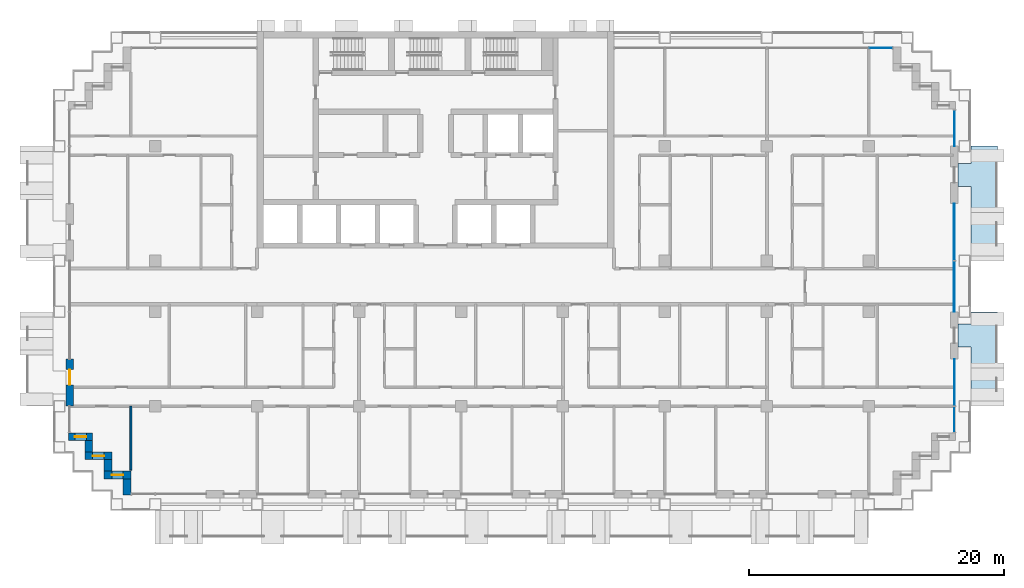
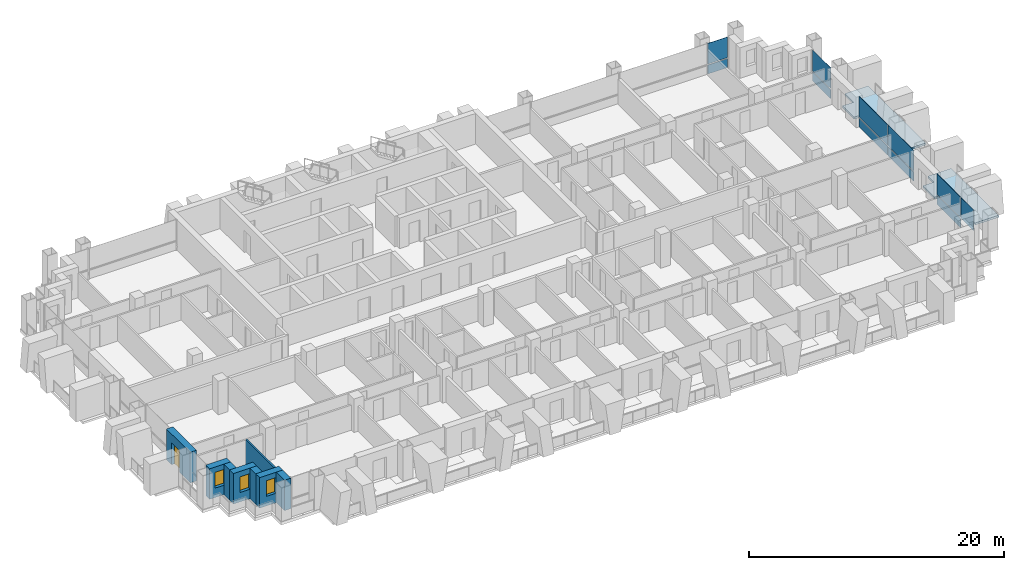
# One storey, part 7 of 17: 11 plates, 8 walls, 3 windows, 2 slabs, 1 door, 4 openings, 4 elements without a shape of their own.
"""IFC4 building model written with IfcOpenShell, lengths in metres."""

from ifc_helpers import new_model, si_unit, direction, frame, frame_2d, origin, origin_2d, place, context, subcontext, project, spatial, polyline, rectangle, outline, extrude, material, layer, layer_set, type_object, element, fill, aggregate, save


model = new_model("IFC4")

# Units and contexts
model_context = context("Model", 3, precision=1e-05, world=origin(), true_north=direction((0.0, 1.0)))
body_context = subcontext(model_context, "Body", "Model", "MODEL_VIEW")
ifc_project = project(units=[si_unit("LENGTHUNIT", "METRE"), si_unit("AREAUNIT", "SQUARE_METRE"), si_unit("VOLUMEUNIT", "CUBIC_METRE"), si_unit("PLANEANGLEUNIT", "RADIAN"), si_unit("MASSUNIT", "GRAM", prefix="KILO")], contexts=[model_context])

# Site, building, storey
site_placement = place(None, origin())
site = spatial("IfcSite", under=ifc_project, at=site_placement, CompositionType="ELEMENT")
building_placement = place(site_placement, origin())
building = spatial("IfcBuilding", under=site, at=building_placement, Name="Vidyagriha Tower", CompositionType="ELEMENT")
storey_placement = place(building_placement, frame((0.0, 0.0, 77.5)))
storey = spatial("IfcBuildingStorey", under=building, at=storey_placement, Name="L19", CompositionType="ELEMENT", Elevation=77.5)

# Curtain wall, plate
ifc_material_1 = material(Name="Aluminium and glass curtain wall", Category="aluminium")
curtain_wall_type = type_object("IfcCurtainWallType", Name="Dwelling skin unitised curtain wall", PredefinedType="USERDEFINED", material=ifc_material_1)
curtain_wall_1_placement = place(storey_placement, origin())
curtain_wall_1 = element("IfcCurtainWall", 1, at=curtain_wall_1_placement, inside=storey, type_object=curtain_wall_type, Name="CW1 dwelling skin", ObjectType="UNITISED", PredefinedType="USERDEFINED")
ifc_material_2 = material(Name="Glass dark ceramic-fritted spandrel", Category="glass")
ifc_layer_1 = layer(ifc_material_2, 0.0400390625)
ifc_layer_set_1 = layer_set([ifc_layer_1], Name="Glass dark ceramic-fritted spandrel")
plate_type_1 = type_object("IfcPlateType", Name="Ceramic-fritted spandrel panel", PredefinedType="CURTAIN_PANEL", material=ifc_layer_set_1)
plate_1_placement = place(storey_placement, frame((34.9326171875, 18.699951171875, 0.0), z_axis=(0.0, 0.0, 1.0), x_axis=(-1.0, 0.0, 0.0)))
plate_1 = element("IfcPlate", 2, at=plate_1_placement, type_object=plate_type_1, Name="CW1 panel 1.1", PredefinedType="CURTAIN_PANEL", context=body_context, shape_type="SweptSolid", body=[
    extrude(rectangle(XDim=1.794921875, YDim=0.0400390625, at=origin_2d()), origin(), (0.0, 0.0, 1.0), 0.85009765625),
])

curtain_wall_2_placement = place(storey_placement, origin())
curtain_wall_2 = element("IfcCurtainWall", 3, at=curtain_wall_2_placement, inside=storey, type_object=curtain_wall_type, Name="CW1 dwelling skin", ObjectType="UNITISED", PredefinedType="USERDEFINED")
plate_2_placement = place(storey_placement, frame((40.699951171875, -7.532470703125, 0.0), z_axis=(0.0, 0.0, 1.0), x_axis=(0.0, 1.0, 0.0)))
plate_2 = element("IfcPlate", 4, at=plate_2_placement, type_object=plate_type_1, Name="CW1 panel 2.1", PredefinedType="CURTAIN_PANEL", context=body_context, shape_type="SweptSolid", body=[
    extrude(rectangle(XDim=3.6650390625, YDim=0.0400390625, at=origin_2d()), origin(), (0.0, 0.0, 1.0), 0.85009765625),
])

curtain_wall_3_placement = place(storey_placement, origin())
curtain_wall_3 = element("IfcCurtainWall", 5, at=curtain_wall_3_placement, inside=storey, type_object=curtain_wall_type, Name="CW1 dwelling skin", ObjectType="UNITISED", PredefinedType="USERDEFINED")
plate_3_placement = place(storey_placement, frame((40.699951171875, 12.4150390625, 0.0), z_axis=(0.0, 0.0, 1.0), x_axis=(0.0, 1.0, 0.0)))
plate_3 = element("IfcPlate", 6, at=plate_3_placement, type_object=plate_type_1, Name="CW1 panel 1.1", PredefinedType="CURTAIN_PANEL", context=body_context, shape_type="SweptSolid", body=[
    extrude(rectangle(XDim=2.830078125, YDim=0.0400390625, at=origin_2d()), origin(), (0.0, 0.0, 1.0), 0.85009765625),
])

# Plate
ifc_material_3 = material(Name="Glass dark ceramic-fritted", Category="glass")
ifc_layer_2 = layer(ifc_material_3, 0.028076171875)
ifc_layer_set_2 = layer_set([ifc_layer_2], Name="Glass dark ceramic-fritted")
plate_type_2 = type_object("IfcPlateType", Name="Dark ceramic-fritted vision glass panel", PredefinedType="CURTAIN_PANEL", material=ifc_layer_set_2)
plate_4_placement = place(storey_placement, frame((34.9326171875, 18.699951171875, 0.9501953125), z_axis=(0.0, 0.0, 1.0), x_axis=(-1.0, 0.0, 0.0)))
plate_4 = element("IfcPlate", 7, at=plate_4_placement, type_object=plate_type_2, Name="CW1 panel 1.2", PredefinedType="CURTAIN_PANEL", context=body_context, shape_type="SweptSolid", body=[
    extrude(rectangle(XDim=1.794921875, YDim=0.028076171875, at=origin_2d()), origin(), (0.0, 0.0, 1.0), 1.969970703125),
])

aggregate(curtain_wall_1, [plate_1, plate_4])

plate_5_placement = place(storey_placement, frame((40.699951171875, -10.4326171875, 0.9501953125), z_axis=(0.0, 0.0, 1.0), x_axis=(0.0, 1.0, 0.0)))
plate_5 = element("IfcPlate", 8, at=plate_5_placement, type_object=plate_type_2, Name="CW1 panel 1.2", PredefinedType="CURTAIN_PANEL", context=body_context, shape_type="SweptSolid", body=[
    extrude(rectangle(XDim=1.9951171875, YDim=0.028076171875, at=origin_2d()), origin(), (0.0, 0.0, 1.0), 1.969970703125),
])

plate_6_placement = place(storey_placement, frame((40.699951171875, -7.532470703125, 0.9501953125), z_axis=(0.0, 0.0, 1.0), x_axis=(0.0, 1.0, 0.0)))
plate_6 = element("IfcPlate", 9, at=plate_6_placement, type_object=plate_type_2, Name="CW1 panel 2.2", PredefinedType="CURTAIN_PANEL", context=body_context, shape_type="SweptSolid", body=[
    extrude(rectangle(XDim=3.6650390625, YDim=0.028076171875, at=origin_2d()), origin(), (0.0, 0.0, 1.0), 1.969970703125),
])

aggregate(curtain_wall_2, [plate_5, plate_2, plate_6])

# Curtain wall, plates
curtain_wall_4_placement = place(storey_placement, origin())
curtain_wall_4 = element("IfcCurtainWall", 10, at=curtain_wall_4_placement, inside=storey, type_object=curtain_wall_type, Name="CW1 dwelling skin", ObjectType="UNITISED", PredefinedType="USERDEFINED")
plate_7_placement = place(storey_placement, frame((40.699951171875, -0.017578125, 0.9501953125), z_axis=(0.0, 0.0, 1.0), x_axis=(0.0, 1.0, 0.0)))
plate_7 = element("IfcPlate", 11, at=plate_7_placement, type_object=plate_type_2, Name="CW1 panel 1.2", PredefinedType="CURTAIN_PANEL", context=body_context, shape_type="SweptSolid", body=[
    extrude(rectangle(XDim=3.965087890625, YDim=0.028076171875, at=origin_2d()), origin(), (0.0, 0.0, 1.0), 1.969970703125),
])
plate_8_placement = place(storey_placement, frame((40.699951171875, 4.267578125, 0.9501953125), z_axis=(0.0, 0.0, 1.0), x_axis=(0.0, 1.0, 0.0)))
plate_8 = element("IfcPlate", 12, at=plate_8_placement, type_object=plate_type_2, Name="CW1 panel 2.2", PredefinedType="CURTAIN_PANEL", context=body_context, shape_type="SweptSolid", body=[
    extrude(rectangle(XDim=4.465087890625, YDim=0.028076171875, at=origin_2d()), origin(), (0.0, 0.0, 1.0), 1.969970703125),
])

# Plate
plate_9_placement = place(storey_placement, frame((40.699951171875, 12.4150390625, 0.9501953125), z_axis=(0.0, 0.0, 1.0), x_axis=(0.0, 1.0, 0.0)))
plate_9 = element("IfcPlate", 13, at=plate_9_placement, type_object=plate_type_2, Name="CW1 panel 1.2", PredefinedType="CURTAIN_PANEL", context=body_context, shape_type="SweptSolid", body=[
    extrude(rectangle(XDim=2.830078125, YDim=0.028076171875, at=origin_2d()), origin(), (0.0, 0.0, 1.0), 1.969970703125),
])

aggregate(curtain_wall_3, [plate_3, plate_9])

ifc_material_4 = material(Name="Aluminium black anodised", Category="aluminium")
ifc_layer_3 = layer(ifc_material_4, 0.06005859375)
ifc_layer_set_3 = layer_set([ifc_layer_3], Name="Aluminium black anodised")
plate_type_3 = type_object("IfcPlateType", Name="Operable black-metal vent panel", PredefinedType="CURTAIN_PANEL", material=ifc_layer_set_3)
plate_10_placement = place(storey_placement, frame((40.699951171875, -0.017578125, 0.0), z_axis=(0.0, 0.0, 1.0), x_axis=(0.0, 1.0, 0.0)))
plate_10 = element("IfcPlate", 14, at=plate_10_placement, type_object=plate_type_3, Name="CW1 panel 1.1", PredefinedType="CURTAIN_PANEL", context=body_context, shape_type="SweptSolid", body=[
    extrude(rectangle(XDim=3.965087890625, YDim=0.06005859375, at=origin_2d()), origin(), (0.0, 0.0, 1.0), 0.85009765625),
])

plate_11_placement = place(storey_placement, frame((40.699951171875, 4.267578125, 0.0), z_axis=(0.0, 0.0, 1.0), x_axis=(0.0, 1.0, 0.0)))
plate_11 = element("IfcPlate", 15, at=plate_11_placement, type_object=plate_type_3, Name="CW1 panel 2.1", PredefinedType="CURTAIN_PANEL", context=body_context, shape_type="SweptSolid", body=[
    extrude(rectangle(XDim=4.465087890625, YDim=0.06005859375, at=origin_2d()), origin(), (0.0, 0.0, 1.0), 0.85009765625),
])

aggregate(curtain_wall_4, [plate_10, plate_7, plate_11, plate_8])

# Slabs
ifc_material_5 = material(Name="Precast concrete C40/50", Category="concrete")
ifc_layer_4 = layer(ifc_material_5, 0.199951171875)
ifc_layer_set_4 = layer_set([ifc_layer_4], Name="Precast concrete C40/50")
slab_type = type_object("IfcSlabType", Name="Precast balcony slab 200", PredefinedType="USERDEFINED", material=ifc_layer_set_4)
slab_1_placement = place(storey_placement, frame((0.0, 0.0, -0.199951171875)))
element("IfcSlab", 16, at=slab_1_placement, inside=storey, type_object=slab_type, Name="Balcony slab L19 R30.1-1", ObjectType="BALCONY", PredefinedType="USERDEFINED", context=body_context, shape_type="SweptSolid", body=[
    extrude(outline(polyline([(42.0, -4.75), (42.0, -9.39990234375), (44.10009765625, -9.39990234375), (44.10009765625, -2.0), (42.0, -2.0), (42.0, -2.949951171875), (41.0, -2.949951171875), (41.0, -4.75), (42.0, -4.75)])), origin(), (0.0, 0.0, 1.0), 0.199951171875),
])
slab_2_placement = place(storey_placement, frame((0.0, 0.0, -0.199951171875)))
element("IfcSlab", 17, at=slab_2_placement, inside=storey, type_object=slab_type, Name="Balcony slab L19 R30.2-2", ObjectType="BALCONY", PredefinedType="USERDEFINED", context=body_context, shape_type="SweptSolid", body=[
    extrude(outline(polyline([(42.0, 7.85009765625), (42.0, 2.0), (44.10009765625, 2.0), (44.10009765625, 11.0), (42.0, 11.0), (42.0, 9.64990234375), (41.0, 9.64990234375), (41.0, 7.85009765625), (42.0, 7.85009765625)])), origin(), (0.0, 0.0, 1.0), 0.199951171875),
])

# Wall, opening, door
ifc_material_6 = material(Name="Precast concrete C40/50 with brick facing", Category="concrete")
ifc_layer_5 = layer(ifc_material_6, 0.60009765625)
ifc_layer_set_5 = layer_set([ifc_layer_5], Name="Precast concrete C40/50 with brick facing")
wall_type_1 = type_object("IfcWallType", Name="Brick-faced precast wall 600", PredefinedType="STANDARD", material=ifc_layer_set_5)
wall_1_placement = place(storey_placement, frame((-28.699951171875, -5.699951171875, 0.0), z_axis=(0.0, 0.0, 1.0), x_axis=(0.0, -1.0, 0.0)))
wall_1 = element("IfcWall", 18, at=wall_1_placement, inside=storey, type_object=wall_type_1, Name="Brick door bay wall L19 R16.6", PredefinedType="STANDARD", context=body_context, shape_type="SweptSolid", body=[
    extrude(rectangle(XDim=3.699951171875, YDim=0.60009765625, at=frame_2d((1.85009765625, 0.0))), origin(), (0.0, 0.0, 1.0), 2.919921875),
])
opening_1_placement = place(wall_1_placement, frame((0.824951171875, 0.0, 0.0)))
opening_1 = element("IfcOpeningElement", 19, at=opening_1_placement, cuts=wall_1, Name="Opening D19-73", PredefinedType="OPENING", context=body_context, shape_type="SweptSolid", body=[
    extrude(rectangle(XDim=1.199951171875, YDim=2.10009765625, at=frame_2d((0.60009765625, 1.050048828125))), frame((0.0, 0.31005859375, 0.0), z_axis=(0.0, -1.0, 0.0), x_axis=(1.0, 0.0, 0.0)), (0.0, 0.0, 1.0), 0.6201171875),
])
ifc_material_7 = material(Name="Aluminium framed glazed sliding door", Category="aluminium")
door_type = type_object("IfcDoorType", Name="Balcony sliding door 1200x2100", OperationType="NOTDEFINED", PredefinedType="DOOR", material=ifc_material_7)
door_placement = place(opening_1_placement, origin())
door = element("IfcDoor", 20, at=door_placement, inside=storey, type_object=door_type, Name="Door D19-73", OperationType="SLIDING_TO_LEFT", OverallHeight=2.10009765625, OverallWidth=1.199951171875, PredefinedType="DOOR", context=body_context, shape_type="SweptSolid", body=[
    extrude(rectangle(XDim=1.199951171875, YDim=2.10009765625, at=frame_2d((0.60009765625, 1.050048828125))), frame((0.0, 0.02490234375, 0.0), z_axis=(0.0, -1.0, 0.0), x_axis=(1.0, 0.0, 0.0)), (0.0, 0.0, 1.0), 0.050048828125),
])
fill(opening_1, door)

# Wall, opening, window
wall_2_placement = place(storey_placement, frame((-28.780029296875, -11.800048828125, 0.0)))
wall_2 = element("IfcWall", 21, at=wall_2_placement, inside=storey, type_object=wall_type_1, Name="Stepped corner wall L19 R17", PredefinedType="STANDARD", context=body_context, shape_type="SweptSolid", body=[
    extrude(rectangle(XDim=1.880126953125, YDim=0.60009765625, at=frame_2d((0.93994140625, 0.0))), origin(), (0.0, 0.0, 1.0), 2.919921875),
])
opening_2_placement = place(wall_2_placement, frame((0.489990234375, 0.0, 0.89990234375)))
opening_2 = element("IfcOpeningElement", 22, at=opening_2_placement, cuts=wall_2, Name="Opening WN1", PredefinedType="OPENING", context=body_context, shape_type="SweptSolid", body=[
    extrude(rectangle(XDim=0.89990234375, YDim=1.5, at=frame_2d((0.449951171875, 0.75))), frame((0.0, 0.31005859375, 0.0), z_axis=(0.0, -1.0, 0.0), x_axis=(1.0, 0.0, 0.0)), (0.0, 0.0, 1.0), 0.6201171875),
])
ifc_material_8 = material(Name="Aluminium and glass window", Category="aluminium")
window_type = type_object("IfcWindowType", Name="Reveal window 900x1500", PartitioningType="NOTDEFINED", PredefinedType="WINDOW", material=ifc_material_8)
window_1_placement = place(opening_2_placement, origin())
window_1 = element("IfcWindow", 23, at=window_1_placement, inside=storey, type_object=window_type, Name="Reveal window L19 R17", OverallHeight=1.5, OverallWidth=0.89990234375, PartitioningType="SINGLE_PANEL", PredefinedType="WINDOW", context=body_context, shape_type="SweptSolid", body=[
    extrude(rectangle(XDim=0.89990234375, YDim=1.5, at=frame_2d((0.449951171875, 0.75))), frame((0.0, 0.030029296875, 0.0), z_axis=(0.0, -1.0, 0.0), x_axis=(1.0, 0.0, 0.0)), (0.0, 0.0, 1.0), 0.06005859375),
])
fill(opening_2, window_1)

# Wall
wall_3_placement = place(storey_placement, frame((-27.199951171875, -12.10009765625, 0.0), z_axis=(0.0, 0.0, 1.0), x_axis=(0.0, -1.0, 0.0)))
element("IfcWall", 24, at=wall_3_placement, inside=storey, type_object=wall_type_1, Name="Stepped corner wall L19 R18", PredefinedType="STANDARD", context=body_context, shape_type="SweptSolid", body=[
    extrude(rectangle(XDim=0.89990234375, YDim=0.60009765625, at=frame_2d((0.449951171875, 0.0))), origin(), (0.0, 0.0, 1.0), 2.919921875),
])

# Wall, opening, window
wall_4_placement = place(storey_placement, frame((-27.5, -13.300048828125, 0.0)))
wall_4 = element("IfcWall", 25, at=wall_4_placement, inside=storey, type_object=wall_type_1, Name="Stepped corner wall L19 R19", PredefinedType="STANDARD", context=body_context, shape_type="SweptSolid", body=[
    extrude(rectangle(XDim=2.10009765625, YDim=0.60009765625, at=frame_2d((1.050048828125, 0.0))), origin(), (0.0, 0.0, 1.0), 2.919921875),
])
opening_3_placement = place(wall_4_placement, frame((0.60009765625, 0.0, 0.89990234375)))
opening_3 = element("IfcOpeningElement", 26, at=opening_3_placement, cuts=wall_4, Name="Opening WN1", PredefinedType="OPENING", context=body_context, shape_type="SweptSolid", body=[
    extrude(rectangle(XDim=0.89990234375, YDim=1.5, at=frame_2d((0.449951171875, 0.75))), frame((0.0, 0.31005859375, 0.0), z_axis=(0.0, -1.0, 0.0), x_axis=(1.0, 0.0, 0.0)), (0.0, 0.0, 1.0), 0.6201171875),
])
window_2_placement = place(opening_3_placement, origin())
window_2 = element("IfcWindow", 27, at=window_2_placement, inside=storey, type_object=window_type, Name="Reveal window L19 R19", OverallHeight=1.5, OverallWidth=0.89990234375, PartitioningType="SINGLE_PANEL", PredefinedType="WINDOW", context=body_context, shape_type="SweptSolid", body=[
    extrude(rectangle(XDim=0.89990234375, YDim=1.5, at=frame_2d((0.449951171875, 0.75))), frame((0.0, 0.030029296875, 0.0), z_axis=(0.0, -1.0, 0.0), x_axis=(1.0, 0.0, 0.0)), (0.0, 0.0, 1.0), 0.06005859375),
])
fill(opening_3, window_2)

# Wall
wall_5_placement = place(storey_placement, frame((-25.699951171875, -13.60009765625, 0.0), z_axis=(0.0, 0.0, 1.0), x_axis=(0.0, -1.0, 0.0)))
element("IfcWall", 28, at=wall_5_placement, inside=storey, type_object=wall_type_1, Name="Stepped corner wall L19 R20", PredefinedType="STANDARD", context=body_context, shape_type="SweptSolid", body=[
    extrude(rectangle(XDim=0.89990234375, YDim=0.60009765625, at=frame_2d((0.449951171875, 0.0))), origin(), (0.0, 0.0, 1.0), 2.919921875),
])

# Wall, opening, window
wall_6_placement = place(storey_placement, frame((-26.0, -14.800048828125, 0.0)))
wall_6 = element("IfcWall", 29, at=wall_6_placement, inside=storey, type_object=wall_type_1, Name="Stepped corner wall L19 R21", PredefinedType="STANDARD", context=body_context, shape_type="SweptSolid", body=[
    extrude(rectangle(XDim=2.10009765625, YDim=0.60009765625, at=frame_2d((1.050048828125, 0.0))), origin(), (0.0, 0.0, 1.0), 2.919921875),
])
opening_4_placement = place(wall_6_placement, frame((0.60009765625, 0.0, 0.89990234375)))
opening_4 = element("IfcOpeningElement", 30, at=opening_4_placement, cuts=wall_6, Name="Opening WN1", PredefinedType="OPENING", context=body_context, shape_type="SweptSolid", body=[
    extrude(rectangle(XDim=0.89990234375, YDim=1.5, at=frame_2d((0.449951171875, 0.75))), frame((0.0, 0.31005859375, 0.0), z_axis=(0.0, -1.0, 0.0), x_axis=(1.0, 0.0, 0.0)), (0.0, 0.0, 1.0), 0.6201171875),
])
window_3_placement = place(opening_4_placement, origin())
window_3 = element("IfcWindow", 31, at=window_3_placement, inside=storey, type_object=window_type, Name="Reveal window L19 R21", OverallHeight=1.5, OverallWidth=0.89990234375, PartitioningType="SINGLE_PANEL", PredefinedType="WINDOW", context=body_context, shape_type="SweptSolid", body=[
    extrude(rectangle(XDim=0.89990234375, YDim=1.5, at=frame_2d((0.449951171875, 0.75))), frame((0.0, 0.030029296875, 0.0), z_axis=(0.0, -1.0, 0.0), x_axis=(1.0, 0.0, 0.0)), (0.0, 0.0, 1.0), 0.06005859375),
])
fill(opening_4, window_3)

# Walls
wall_7_placement = place(storey_placement, frame((-24.199951171875, -15.10009765625, 0.0), z_axis=(0.0, 0.0, 1.0), x_axis=(0.0, -1.0, 0.0)))
element("IfcWall", 32, at=wall_7_placement, inside=storey, type_object=wall_type_1, Name="Stepped corner wall L19 R22", PredefinedType="STANDARD", context=body_context, shape_type="SweptSolid", body=[
    extrude(rectangle(XDim=1.27978515625, YDim=0.60009765625, at=frame_2d((0.639892578125, 0.0))), origin(), (0.0, 0.0, 1.0), 2.919921875),
])
ifc_material_9 = material(Name="Gypsum board partition")
ifc_layer_6 = layer(ifc_material_9, 0.14990234375)
ifc_layer_set_6 = layer_set([ifc_layer_6], Name="Gypsum board partition")
wall_type_2 = type_object("IfcWallType", Name="Gypsum board partition 150", PredefinedType="PARTITIONING", material=ifc_layer_set_6)
wall_8_placement = place(storey_placement, frame((-23.89990234375, -9.39990234375, 0.0), z_axis=(0.0, 0.0, 1.0), x_axis=(0.0, -1.0, 0.0)))
element("IfcWall", 33, at=wall_8_placement, inside=storey, type_object=wall_type_2, Name="Wall all-L19-w017", PredefinedType="PARTITIONING", context=body_context, shape_type="SweptSolid", body=[
    extrude(rectangle(XDim=5.02001953125, YDim=0.14990234375, at=frame_2d((2.510009765625, 0.0))), origin(), (0.0, 0.0, 1.0), 2.39990234375),
])

save(model, "model.ifc")
